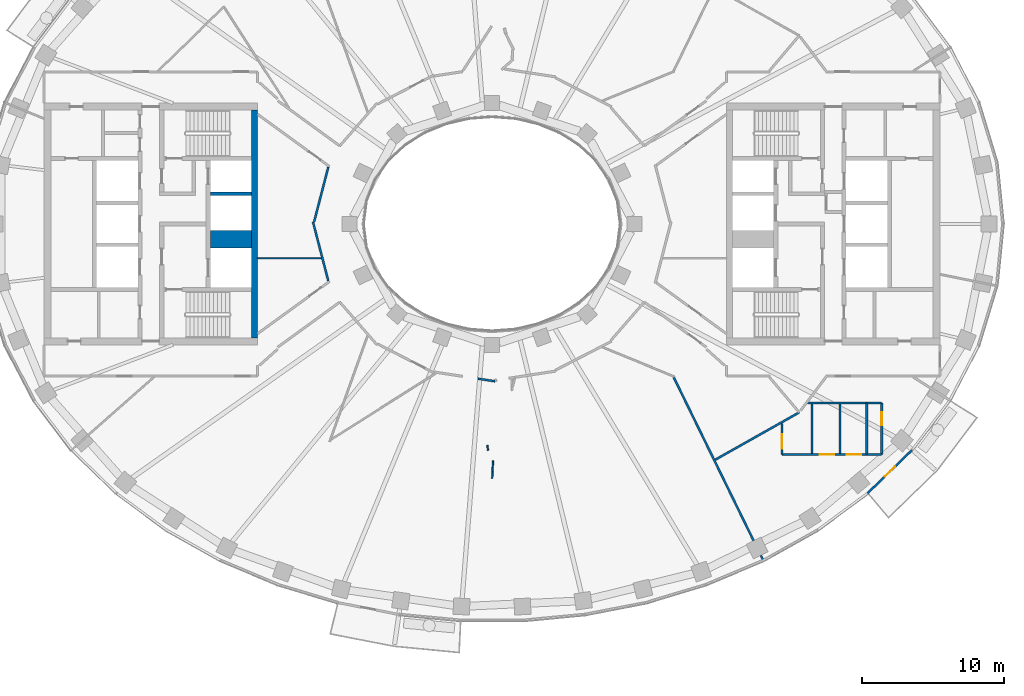
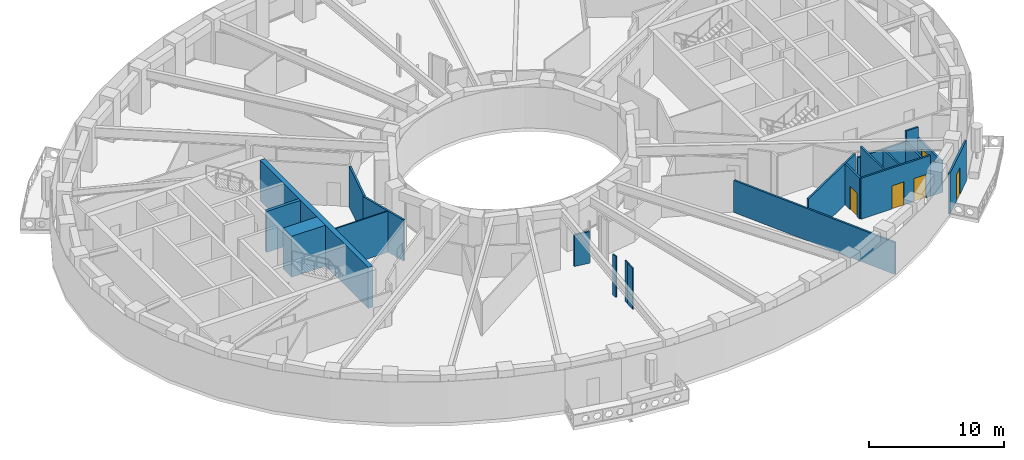
# One storey, part 4 of 17: 22 walls, 5 doors, 5 openings.
"""IFC4 building model written with IfcOpenShell, lengths in metres."""

from ifc_helpers import new_model, si_unit, direction, frame, frame_2d, origin, place, context, subcontext, project, spatial, rectangle, extrude, material, layer, layer_set, type_object, element, fill, save


model = new_model("IFC4")

# Units and contexts
model_context = context("Model", 3, precision=1e-05, world=origin(), true_north=direction((0.0, 1.0)))
body_context = subcontext(model_context, "Body", "Model", "MODEL_VIEW")
ifc_project = project(units=[si_unit("LENGTHUNIT", "METRE"), si_unit("AREAUNIT", "SQUARE_METRE"), si_unit("VOLUMEUNIT", "CUBIC_METRE"), si_unit("PLANEANGLEUNIT", "RADIAN"), si_unit("MASSUNIT", "GRAM", prefix="KILO")], contexts=[model_context])

# Site, building, storey
site_placement = place(None, origin())
site = spatial("IfcSite", under=ifc_project, at=site_placement, CompositionType="ELEMENT")
building_placement = place(site_placement, origin())
building = spatial("IfcBuilding", under=site, at=building_placement, Name="Noorbagh Ring Tower", CompositionType="ELEMENT")
storey_placement = place(building_placement, frame((0.0, 0.0, 190.0)))
storey = spatial("IfcBuildingStorey", under=building, at=storey_placement, Name="L44", CompositionType="ELEMENT", Elevation=190.0)

# Walls
ifc_material_1 = material(Name="Gypsum board on steel studs", Category="steel")
ifc_layer_1 = layer(ifc_material_1, 0.14990234375)
ifc_layer_set_1 = layer_set([ifc_layer_1], Name="Gypsum board on steel studs")
wall_type_1 = type_object("IfcWallType", Name="COMPARTMENT PARTITION 150 EI 60", PredefinedType="PARTITIONING", material=ifc_layer_set_1)
wall_1_placement = place(storey_placement, frame((26.35009765625, -16.199951171875, 0.0), z_axis=(0.0, 0.0, 1.0), x_axis=(0.0, 1.0, 0.0)))
element("IfcWall", 1, at=wall_1_placement, inside=storey, type_object=wall_type_1, Name="L44/wall/P79", PredefinedType="PARTITIONING", context=body_context, shape_type="SweptSolid", body=[
    extrude(rectangle(XDim=3.599853515625, YDim=0.14990234375, at=frame_2d((1.7998046875, 0.0))), origin(), (0.0, 0.0, 1.0), 2.75),
])
wall_2_placement = place(storey_placement, frame((26.35009765625, -16.199951171875, 0.0), z_axis=(0.0, 0.0, 1.0), x_axis=(1.0, 0.0, 0.0)))
element("IfcWall", 2, at=wall_2_placement, inside=storey, type_object=wall_type_1, Name="L44/wall/P80", PredefinedType="PARTITIONING", context=body_context, shape_type="SweptSolid", body=[
    extrude(rectangle(XDim=1.0458984375, YDim=0.14990234375, at=frame_2d((0.52294921875, 0.0))), origin(), (0.0, 0.0, 1.0), 2.89990234375),
])
wall_3_placement = place(storey_placement, frame((26.35009765625, -12.60009765625, 0.0), z_axis=(0.0, 0.0, 1.0), x_axis=(1.0, 0.0, 0.0)))
element("IfcWall", 3, at=wall_3_placement, inside=storey, type_object=wall_type_1, Name="L44/wall/P81", PredefinedType="PARTITIONING", context=body_context, shape_type="SweptSolid", body=[
    extrude(rectangle(XDim=1.0498046875, YDim=0.14990234375, at=frame_2d((0.52490234375, 0.0))), origin(), (0.0, 0.0, 1.0), 3.699951171875),
])

# Wall, opening, door
wall_4_placement = place(storey_placement, frame((27.39990234375, -16.196044921875, 0.0), z_axis=(0.0, 0.0, 1.0), x_axis=(0.0, 1.0, 0.0)))
wall_4 = element("IfcWall", 4, at=wall_4_placement, inside=storey, type_object=wall_type_1, Name="L44/wall/P82", PredefinedType="PARTITIONING", context=body_context, shape_type="SweptSolid", body=[
    extrude(rectangle(XDim=3.595947265625, YDim=0.14990234375, at=frame_2d((1.7978515625, 0.0))), origin(), (0.0, 0.0, 1.0), 2.75),
])
opening_1_placement = place(wall_4_placement, frame((2.0458984375, 0.0, 0.0)))
opening_1 = element("IfcOpeningElement", 5, at=opening_1_placement, cuts=wall_4, Name="Opening D4", PredefinedType="OPENING", context=body_context, shape_type="SweptSolid", body=[
    extrude(rectangle(XDim=0.89990234375, YDim=2.10009765625, at=frame_2d((0.449951171875, 1.050048828125))), frame((0.0, 0.0849609375, 0.0), z_axis=(0.0, -1.0, 0.0), x_axis=(1.0, 0.0, 0.0)), (0.0, 0.0, 1.0), 0.169921875),
])
ifc_material_2 = material(Name="Timber, painted", Category="wood")
door_type_1 = type_object("IfcDoorType", Name="DOOR 900 X 2100 FD60", OperationType="SINGLE_SWING_LEFT", PredefinedType="DOOR", material=ifc_material_2)
door_1_placement = place(opening_1_placement, origin())
door_1 = element("IfcDoor", 6, at=door_1_placement, inside=storey, type_object=door_type_1, Name="L44-D05", OperationType="SINGLE_SWING_LEFT", OverallHeight=2.10009765625, OverallWidth=0.89990234375, PredefinedType="DOOR", context=body_context, shape_type="SweptSolid", body=[
    extrude(rectangle(XDim=0.89990234375, YDim=2.10009765625, at=frame_2d((0.449951171875, 1.050048828125))), frame((0.0, 0.02490234375, 0.0), z_axis=(0.0, -1.0, 0.0), x_axis=(1.0, 0.0, 0.0)), (0.0, 0.0, 1.0), 0.050048828125),
])
fill(opening_1, door_1)

# Walls
ifc_material_3 = material(Name="Concrete C60/75", Category="concrete")
ifc_layer_2 = layer(ifc_material_3, 1.25)
ifc_layer_set_2 = layer_set([ifc_layer_2], Name="Concrete C60/75")
wall_type_2 = type_object("IfcWallType", Name="CORE-WALL-1250-C60-75-EI120", PredefinedType="SHEAR", material=ifc_layer_set_2)
wall_5_placement = place(storey_placement, frame((-16.89990234375, -1.074951171875, 0.0), z_axis=(0.0, 0.0, 1.0), x_axis=(-1.0, 0.0, 0.0)))
element("IfcWall", 7, at=wall_5_placement, inside=storey, type_object=wall_type_2, Name="Core wall W", PredefinedType="SHEAR", context=body_context, shape_type="SweptSolid", body=[
    extrude(rectangle(XDim=2.900146484375, YDim=1.25, at=frame_2d((1.4501953125, 0.0))), origin(), (0.0, 0.0, 1.0), 3.699951171875),
])
ifc_material_4 = material(Name="Concrete C60/75", Category="concrete")
ifc_layer_3 = layer(ifc_material_4, 0.25)
ifc_layer_set_3 = layer_set([ifc_layer_3], Name="Concrete C60/75")
wall_type_3 = type_object("IfcWallType", Name="CORE-WALL-250-C60-75-EI120", PredefinedType="SHEAR", material=ifc_layer_set_3)
wall_6_placement = place(storey_placement, frame((-16.89990234375, 2.125, 0.0), z_axis=(0.0, 0.0, 1.0), x_axis=(-1.0, 0.0, 0.0)))
element("IfcWall", 8, at=wall_6_placement, inside=storey, type_object=wall_type_3, Name="Core wall W", PredefinedType="SHEAR", context=body_context, shape_type="SweptSolid", body=[
    extrude(rectangle(XDim=2.900146484375, YDim=0.25, at=frame_2d((1.4501953125, 0.0))), origin(), (0.0, 0.0, 1.0), 3.699951171875),
])
ifc_material_5 = material(Name="Concrete C60/75", Category="concrete")
ifc_layer_4 = layer(ifc_material_5, 0.39990234375)
ifc_layer_set_4 = layer_set([ifc_layer_4], Name="Concrete C60/75")
wall_type_4 = type_object("IfcWallType", Name="CORE-WALL-400-C60-75-EI240", PredefinedType="SHEAR", material=ifc_layer_set_4)
wall_7_placement = place(storey_placement, frame((-16.699951171875, -8.0, 0.0), z_axis=(0.0, 0.0, 1.0), x_axis=(0.0, 1.0, 0.0)))
element("IfcWall", 9, at=wall_7_placement, inside=storey, type_object=wall_type_4, Name="Core wall W", PredefinedType="SHEAR", context=body_context, shape_type="SweptSolid", body=[
    extrude(rectangle(XDim=16.0, YDim=0.39990234375, at=frame_2d((8.0, 0.0))), origin(), (0.0, 0.0, 1.0), 3.699951171875),
])
ifc_material_6 = material(Name="Gypsum board on steel studs", Category="steel")
ifc_layer_5 = layer(ifc_material_6, 0.14990234375)
ifc_layer_set_5 = layer_set([ifc_layer_5], Name="Gypsum board on steel studs")
wall_type_5 = type_object("IfcWallType", Name="CORRIDOR PARTITION 150 EI 30", PredefinedType="PARTITIONING", material=ifc_layer_set_5)
wall_8_placement = place(storey_placement, frame((-12.589111328125, 0.14892578125, 0.0), z_axis=(0.0, 0.0, 1.0), x_axis=(0.251046993507, -0.967974900011, 0.0)))
element("IfcWall", 10, at=wall_8_placement, inside=storey, type_object=wall_type_5, Name="L44/wall/P16", PredefinedType="PARTITIONING", context=body_context, shape_type="SweptSolid", body=[
    extrude(rectangle(XDim=4.29443359375, YDim=0.14990234375, at=frame_2d((2.147216796875, 0.0))), origin(), (0.0, 0.0, 1.0), 3.699951171875),
])
wall_9_placement = place(storey_placement, frame((-12.510986328125, 0.14892578125, 0.0), z_axis=(0.0, 0.0, 1.0), x_axis=(0.250841014014, 0.968028297979, 0.0)))
element("IfcWall", 11, at=wall_9_placement, inside=storey, type_object=wall_type_5, Name="L44/wall/P17", PredefinedType="PARTITIONING", context=body_context, shape_type="SweptSolid", body=[
    extrude(rectangle(XDim=3.986572265625, YDim=0.14990234375, at=frame_2d((1.9931640625, 0.0))), origin(), (0.0, 0.0, 1.0), 3.699951171875),
])
wall_10_placement = place(storey_placement, frame((-0.992919921875, -10.8779296875, 0.0), z_axis=(0.0, 0.0, 1.0), x_axis=(0.988528636602, -0.151033554609, 0.0)))
element("IfcWall", 12, at=wall_10_placement, inside=storey, type_object=wall_type_5, Name="L44/wall/P31", PredefinedType="PARTITIONING", context=body_context, shape_type="SweptSolid", body=[
    extrude(rectangle(XDim=1.21875, YDim=0.14990234375, at=frame_2d((0.609375, 0.0))), origin(), (0.0, 0.0, 1.0), 2.85009765625),
])
wall_11_placement = place(storey_placement, frame((12.76904296875, -10.764892578125, 0.0), z_axis=(0.0, 0.0, 1.0), x_axis=(0.439230835686, -0.898374238824, 0.0)))
element("IfcWall", 13, at=wall_11_placement, inside=storey, type_object=wall_type_5, Name="L44/wall/P60", PredefinedType="PARTITIONING", context=body_context, shape_type="SweptSolid", body=[
    extrude(rectangle(XDim=14.3818359375, YDim=0.14990234375, at=frame_2d((7.19091796875, 0.0))), origin(), (0.0, 0.0, 1.0), 2.89990234375),
])
wall_12_placement = place(storey_placement, frame((15.694091796875, -16.576904296875, 0.0), z_axis=(0.0, 0.0, 1.0), x_axis=(0.871255216399, 0.490830263835, 0.0)))
element("IfcWall", 14, at=wall_12_placement, inside=storey, type_object=wall_type_5, Name="L44/wall/P62", PredefinedType="PARTITIONING", context=body_context, shape_type="SweptSolid", body=[
    extrude(rectangle(XDim=6.781982421875, YDim=0.14990234375, at=frame_2d((3.39111328125, 0.0))), origin(), (0.0, 0.0, 1.0), 3.699951171875),
])

# Wall, opening, door
wall_13_placement = place(storey_placement, frame((20.39990234375, -16.196044921875, 0.0), z_axis=(0.0, 0.0, 1.0), x_axis=(0.0, 1.0, 0.0)))
wall_13 = element("IfcWall", 15, at=wall_13_placement, inside=storey, type_object=wall_type_5, Name="L44/wall/P70", PredefinedType="PARTITIONING", context=body_context, shape_type="SweptSolid", body=[
    extrude(rectangle(XDim=2.179931640625, YDim=0.14990234375, at=frame_2d((1.08984375, 0.0))), origin(), (0.0, 0.0, 1.0), 3.699951171875),
])
opening_2_placement = place(wall_13_placement, frame((0.39990234375, 0.0, 0.0)))
opening_2 = element("IfcOpeningElement", 16, at=opening_2_placement, cuts=wall_13, Name="Opening D3", PredefinedType="OPENING", context=body_context, shape_type="SweptSolid", body=[
    extrude(rectangle(XDim=1.0, YDim=2.10009765625, at=frame_2d((0.5, 1.050048828125))), frame((0.0, 0.0849609375, 0.0), z_axis=(0.0, -1.0, 0.0), x_axis=(1.0, 0.0, 0.0)), (0.0, 0.0, 1.0), 0.169921875),
])
ifc_material_7 = material(Name="Timber, painted", Category="wood")
door_type_2 = type_object("IfcDoorType", Name="DOOR 1000 X 2100 WC", OperationType="SINGLE_SWING_LEFT", PredefinedType="DOOR", material=ifc_material_7)
door_2_placement = place(opening_2_placement, origin())
door_2 = element("IfcDoor", 17, at=door_2_placement, inside=storey, type_object=door_type_2, Name="L44-D02", OperationType="SINGLE_SWING_LEFT", OverallHeight=2.10009765625, OverallWidth=1.0, PredefinedType="DOOR", context=body_context, shape_type="SweptSolid", body=[
    extrude(rectangle(XDim=1.0, YDim=2.10009765625, at=frame_2d((0.5, 1.050048828125))), frame((0.0, 0.02490234375, 0.0), z_axis=(0.0, -1.0, 0.0), x_axis=(1.0, 0.0, 0.0)), (0.0, 0.0, 1.0), 0.050048828125),
])
fill(opening_2, door_2)

# Wall, openings, doors
wall_14_placement = place(storey_placement, frame((20.404052734375, -16.199951171875, 0.0), z_axis=(0.0, 0.0, 1.0), x_axis=(1.0, 0.0, 0.0)))
wall_14 = element("IfcWall", 18, at=wall_14_placement, inside=storey, type_object=wall_type_5, Name="L44/wall/P71", PredefinedType="PARTITIONING", context=body_context, shape_type="SweptSolid", body=[
    extrude(rectangle(XDim=5.946044921875, YDim=0.14990234375, at=frame_2d((2.97314453125, 0.0))), origin(), (0.0, 0.0, 1.0), 3.699951171875),
])
opening_3_placement = place(wall_14_placement, frame((2.656005859375, 0.0, 0.0)))
opening_3 = element("IfcOpeningElement", 19, at=opening_3_placement, cuts=wall_14, Name="Opening D3", PredefinedType="OPENING", context=body_context, shape_type="SweptSolid", body=[
    extrude(rectangle(XDim=1.0, YDim=2.10009765625, at=frame_2d((0.5, 1.050048828125))), frame((0.0, 0.0849609375, 0.0), z_axis=(0.0, -1.0, 0.0), x_axis=(1.0, 0.0, 0.0)), (0.0, 0.0, 1.0), 0.169921875),
])
opening_4_placement = place(wall_14_placement, frame((4.5458984375, 0.0, 0.0)))
opening_4 = element("IfcOpeningElement", 20, at=opening_4_placement, cuts=wall_14, Name="Opening D3", PredefinedType="OPENING", context=body_context, shape_type="SweptSolid", body=[
    extrude(rectangle(XDim=1.0, YDim=2.10009765625, at=frame_2d((0.5, 1.050048828125))), frame((0.0, 0.0849609375, 0.0), z_axis=(0.0, -1.0, 0.0), x_axis=(1.0, 0.0, 0.0)), (0.0, 0.0, 1.0), 0.169921875),
])
door_3_placement = place(opening_3_placement, origin())
door_3 = element("IfcDoor", 21, at=door_3_placement, inside=storey, type_object=door_type_2, Name="L44-D03", OperationType="SINGLE_SWING_LEFT", OverallHeight=2.10009765625, OverallWidth=1.0, PredefinedType="DOOR", context=body_context, shape_type="SweptSolid", body=[
    extrude(rectangle(XDim=1.0, YDim=2.10009765625, at=frame_2d((0.5, 1.050048828125))), frame((0.0, 0.02490234375, 0.0), z_axis=(0.0, -1.0, 0.0), x_axis=(1.0, 0.0, 0.0)), (0.0, 0.0, 1.0), 0.050048828125),
])
fill(opening_3, door_3)
door_4_placement = place(opening_4_placement, origin())
door_4 = element("IfcDoor", 22, at=door_4_placement, inside=storey, type_object=door_type_2, Name="L44-D04", OperationType="SINGLE_SWING_RIGHT", OverallHeight=2.10009765625, OverallWidth=1.0, PredefinedType="DOOR", context=body_context, shape_type="SweptSolid", body=[
    extrude(rectangle(XDim=1.0, YDim=2.10009765625, at=frame_2d((0.5, 1.050048828125))), frame((0.0, 0.02490234375, 0.0), z_axis=(0.0, -1.0, 0.0), x_axis=(1.0, 0.0, 0.0)), (0.0, 0.0, 1.0), 0.050048828125),
])
fill(opening_4, door_4)

# Walls
wall_15_placement = place(storey_placement, frame((22.19091796875, -12.60009765625, 0.0), z_axis=(0.0, 0.0, 1.0), x_axis=(1.0, 0.0, 0.0)))
element("IfcWall", 23, at=wall_15_placement, inside=storey, type_object=wall_type_5, Name="L44/wall/P74", PredefinedType="PARTITIONING", context=body_context, shape_type="SweptSolid", body=[
    extrude(rectangle(XDim=4.1591796875, YDim=0.14990234375, at=frame_2d((2.07958984375, 0.0))), origin(), (0.0, 0.0, 1.0), 2.75),
])
wall_16_placement = place(storey_placement, frame((22.5, -16.125, 0.0), z_axis=(0.0, 0.0, 1.0), x_axis=(0.0, 1.0, 0.0)))
element("IfcWall", 24, at=wall_16_placement, inside=storey, type_object=wall_type_5, Name="L44/wall/P75", PredefinedType="PARTITIONING", context=body_context, shape_type="SweptSolid", body=[
    extrude(rectangle(XDim=3.449951171875, YDim=0.14990234375, at=frame_2d((1.72509765625, 0.0))), origin(), (0.0, 0.0, 1.0), 3.699951171875),
])
wall_17_placement = place(storey_placement, frame((24.4599609375, -16.125, 0.0), z_axis=(0.0, 0.0, 1.0), x_axis=(0.0, 1.0, 0.0)))
element("IfcWall", 25, at=wall_17_placement, inside=storey, type_object=wall_type_5, Name="L44/wall/P78", PredefinedType="PARTITIONING", context=body_context, shape_type="SweptSolid", body=[
    extrude(rectangle(XDim=3.449951171875, YDim=0.14990234375, at=frame_2d((1.72509765625, 0.0))), origin(), (0.0, 0.0, 1.0), 2.75),
])

# Wall, opening, door
ifc_material_8 = material(Name="Insulated aluminium clad panel", Category="aluminium")
ifc_layer_6 = layer(ifc_material_8, 0.14990234375)
ifc_layer_set_6 = layer_set([ifc_layer_6], Name="Insulated aluminium clad panel")
wall_type_6 = type_object("IfcWallType", Name="ENV-WALL-DOOR", PredefinedType="STANDARD", material=ifc_layer_set_6)
wall_18_placement = place(storey_placement, frame((26.396484375, -18.943359375, 0.0), z_axis=(0.0, 0.0, 1.0), x_axis=(0.717214761864, 0.696852197647, 0.0)))
wall_18 = element("IfcWall", 26, at=wall_18_placement, inside=storey, type_object=wall_type_6, Name="Balcony door wall chord 42", PredefinedType="STANDARD", context=body_context, shape_type="SweptSolid", body=[
    extrude(rectangle(XDim=4.424072265625, YDim=0.14990234375, at=frame_2d((2.2119140625, 0.0))), origin(), (0.0, 0.0, 1.0), 3.699951171875),
])
opening_5_placement = place(wall_18_placement, frame((1.712158203125, 0.0, 0.0)))
opening_5 = element("IfcOpeningElement", 27, at=opening_5_placement, cuts=wall_18, Name="Opening D-BL", PredefinedType="OPENING", context=body_context, shape_type="SweptSolid", body=[
    extrude(rectangle(XDim=1.0, YDim=2.39990234375, at=frame_2d((0.5, 1.199951171875))), frame((0.0, 0.0849609375, 0.0), z_axis=(0.0, -1.0, 0.0), x_axis=(1.0, 0.0, 0.0)), (0.0, 0.0, 1.0), 0.169921875),
])
ifc_material_9 = material(Name="Aluminium and glass", Category="aluminium")
door_type_3 = type_object("IfcDoorType", Name="ENV-DOOR-BALCONY", OperationType="SINGLE_SWING_LEFT", PredefinedType="DOOR", material=ifc_material_9)
door_5_placement = place(opening_5_placement, origin())
door_5 = element("IfcDoor", 28, at=door_5_placement, inside=storey, type_object=door_type_3, Name="Balcony door chord 42", OperationType="SINGLE_SWING_LEFT", OverallHeight=2.39990234375, OverallWidth=1.0, PredefinedType="DOOR", context=body_context, shape_type="SweptSolid", body=[
    extrude(rectangle(XDim=1.0, YDim=2.39990234375, at=frame_2d((0.5, 1.199951171875))), frame((0.0, 0.02490234375, 0.0), z_axis=(0.0, -1.0, 0.0), x_axis=(1.0, 0.0, 0.0)), (0.0, 0.0, 1.0), 0.050048828125),
])
fill(opening_5, door_5)

# Walls
ifc_material_10 = material(Name="Gypsum board on steel studs", Category="steel")
ifc_layer_7 = layer(ifc_material_10, 0.10009765625)
ifc_layer_set_7 = layer_set([ifc_layer_7], Name="Gypsum board on steel studs")
wall_type_7 = type_object("IfcWallType", Name="PARTITION 100 GYPSUM", PredefinedType="PARTITIONING", material=ifc_layer_set_7)
wall_19_placement = place(storey_placement, frame((-16.5, -2.407958984375, 0.0), z_axis=(0.0, 0.0, 1.0), x_axis=(1.0, 0.0, 0.0)))
element("IfcWall", 29, at=wall_19_placement, inside=storey, type_object=wall_type_7, Name="L44/wall/P10", PredefinedType="PARTITIONING", context=body_context, shape_type="SweptSolid", body=[
    extrude(rectangle(XDim=4.493896484375, YDim=0.10009765625, at=frame_2d((2.2470703125, 0.0))), origin(), (0.0, 0.0, 1.0), 3.699951171875),
])
wall_20_placement = place(storey_placement, frame((-0.3310546875, -15.551025390625, 0.0), z_axis=(0.0, 0.0, 1.0), x_axis=(0.142155020728, -0.989844407006, 0.0)))
element("IfcWall", 30, at=wall_20_placement, inside=storey, type_object=wall_type_7, Name="L44/wall/P32", PredefinedType="PARTITIONING", context=body_context, shape_type="SweptSolid", body=[
    extrude(rectangle(XDim=0.372802734375, YDim=0.10009765625, at=frame_2d((0.1865234375, 0.0))), origin(), (0.0, 0.0, 1.0), 3.699951171875),
])
wall_21_placement = place(storey_placement, frame((0.010986328125, -17.89306640625, 0.0), z_axis=(0.0, 0.0, 1.0), x_axis=(0.047210979752, 0.998884940016, 0.0)))
element("IfcWall", 31, at=wall_21_placement, inside=storey, type_object=wall_type_7, Name="L44/wall/P34", PredefinedType="PARTITIONING", context=body_context, shape_type="SweptSolid", body=[
    extrude(rectangle(XDim=0.7861328125, YDim=0.10009765625, at=frame_2d((0.39306640625, 0.0))), origin(), (0.0, 0.0, 1.0), 3.699951171875),
])
wall_22_placement = place(storey_placement, frame((0.049072265625, -17.0810546875, 0.0), z_axis=(0.0, 0.0, 1.0), x_axis=(0.047373011006, 0.998877268651, 0.0)))
element("IfcWall", 32, at=wall_22_placement, inside=storey, type_object=wall_type_7, Name="L44/wall/P35", PredefinedType="PARTITIONING", context=body_context, shape_type="SweptSolid", body=[
    extrude(rectangle(XDim=0.422607421875, YDim=0.10009765625, at=frame_2d((0.21142578125, 0.0))), origin(), (0.0, 0.0, 1.0), 3.699951171875),
])

save(model, "model.ifc")
